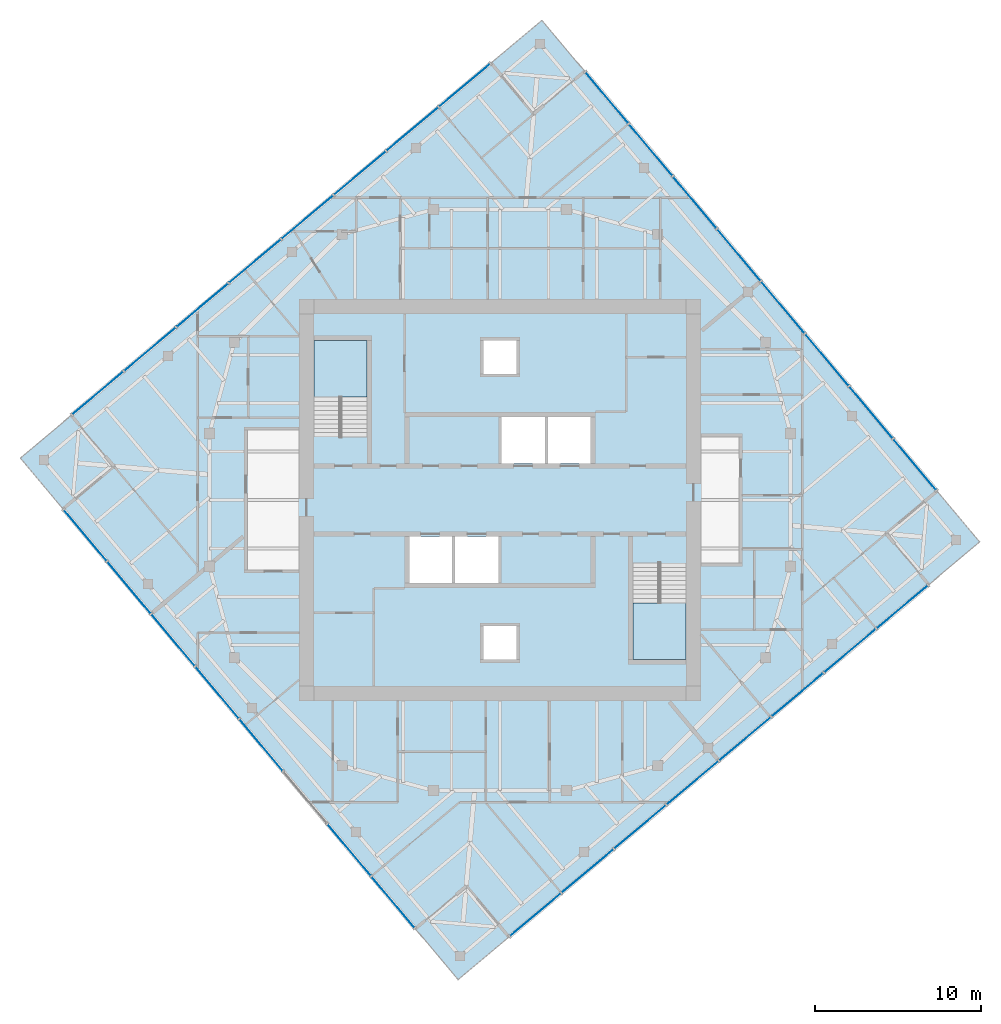
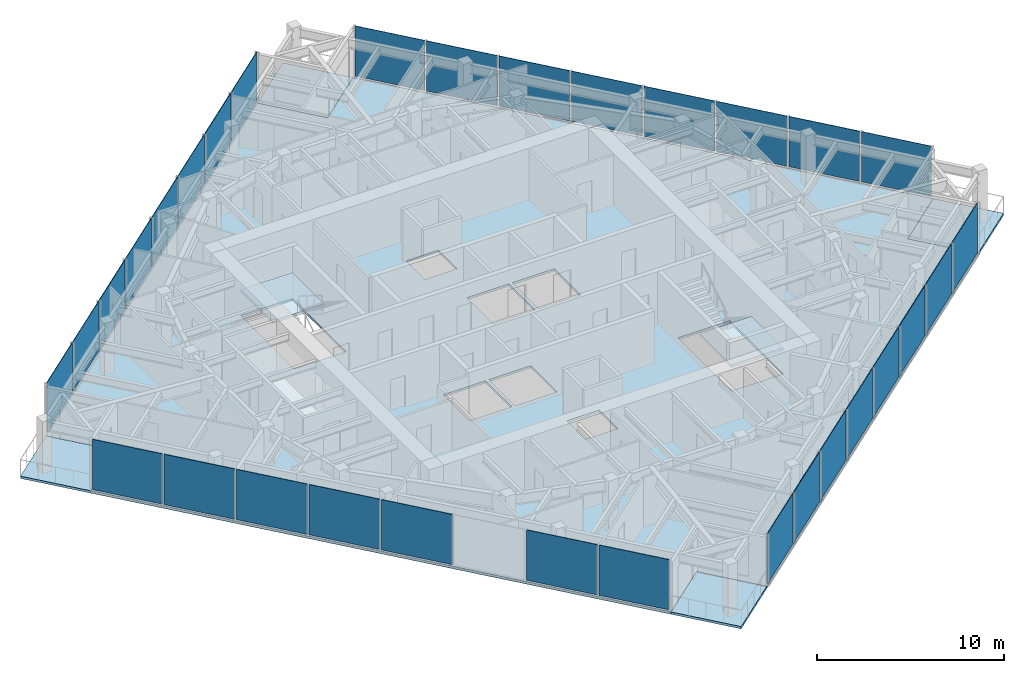
# One storey, part 6 of 12: 31 plates, 7 slabs, 6 elements without a shape of their own.
"""IFC4 building model written with IfcOpenShell, lengths in metres."""

from ifc_helpers import new_model, si_unit, direction, frame, origin, origin_2d, place, context, subcontext, project, spatial, polyline, rectangle, outline, extrude, material, layer, layer_set, type_object, element, aggregate, save


model = new_model("IFC4")

# Units and contexts
model_context = context("Model", 3, precision=1e-05, world=origin(), true_north=direction((0.0, 1.0)))
body_context = subcontext(model_context, "Body", "Model", "MODEL_VIEW")
ifc_project = project(units=[si_unit("LENGTHUNIT", "METRE"), si_unit("AREAUNIT", "SQUARE_METRE"), si_unit("VOLUMEUNIT", "CUBIC_METRE"), si_unit("PLANEANGLEUNIT", "RADIAN"), si_unit("MASSUNIT", "GRAM", prefix="KILO")], contexts=[model_context])

# Site, building, storey
site_placement = place(None, origin())
site = spatial("IfcSite", under=ifc_project, at=site_placement, CompositionType="ELEMENT")
building_placement = place(site_placement, origin())
building = spatial("IfcBuilding", under=site, at=building_placement, Name="Torsade Residences", CompositionType="ELEMENT")
storey_placement = place(building_placement, frame((0.0, 0.0, 293.0)))
storey = spatial("IfcBuildingStorey", under=building, at=storey_placement, Name="L81", CompositionType="ELEMENT", Elevation=293.0)

# Slab
ifc_material_1 = material(Name="Concrete 40 MPa", Category="concrete")
ifc_layer_1 = layer(ifc_material_1, 0.14990234375)
ifc_layer_set_1 = layer_set([ifc_layer_1], Name="Concrete 40 MPa")
slab_type_1 = type_object("IfcSlabType", Name="COMPOSITE FLOOR SLAB 150", PredefinedType="FLOOR", material=ifc_layer_set_1)
slab_1_placement = place(storey_placement, frame((0.0, 0.0, -0.14990234375)))
element("IfcSlab", 1, at=slab_1_placement, inside=storey, type_object=slab_type_1, Name="Floor slab L81", PredefinedType="FLOOR", context=body_context, shape_type="SweptSolid", body=[
    extrude(outline(polyline([(40.537353515625, 3.690185546875), (65.81689453125, 24.902099609375), (63.245849609375, 27.96630859375), (66.309814453125, 30.537353515625), (45.097900390625, 55.81689453125), (42.03369140625, 53.245849609375), (39.462646484375, 56.309814453125), (14.18310546875, 35.097900390625), (16.754150390625, 32.03369140625), (13.690185546875, 29.462646484375), (34.902099609375, 4.18310546875), (37.96630859375, 6.754150390625), (40.537353515625, 3.690185546875)]), holes=[polyline([(51.199951171875, 26.1201171875), (48.0, 26.1201171875), (48.0, 20.39990234375), (51.199951171875, 20.39990234375), (51.199951171875, 26.1201171875)]), polyline([(45.5, 35.0), (42.89990234375, 35.0), (42.89990234375, 32.199951171875), (45.5, 32.199951171875), (45.5, 35.0)]), polyline([(42.699951171875, 35.0), (40.10009765625, 35.0), (40.10009765625, 32.199951171875), (42.699951171875, 32.199951171875), (42.699951171875, 35.0)]), polyline([(41.0, 22.39990234375), (39.0, 22.39990234375), (39.0, 20.39990234375), (41.0, 20.39990234375), (41.0, 22.39990234375)]), polyline([(41.0, 39.60009765625), (39.0, 39.60009765625), (39.0, 37.60009765625), (41.0, 37.60009765625), (41.0, 39.60009765625)]), polyline([(39.89990234375, 27.800048828125), (37.300048828125, 27.800048828125), (37.300048828125, 25.0), (39.89990234375, 25.0), (39.89990234375, 27.800048828125)]), polyline([(37.10009765625, 27.800048828125), (34.5, 27.800048828125), (34.5, 25.0), (37.10009765625, 25.0), (37.10009765625, 27.800048828125)]), polyline([(32.0, 39.60009765625), (28.800048828125, 39.60009765625), (28.800048828125, 33.8798828125), (32.0, 33.8798828125), (32.0, 39.60009765625)])]), origin(), (0.0, 0.0, 1.0), 0.14990234375),
])

# Curtain wall, plates
ifc_material_2 = material(Name="Aluminium and glass", Category="aluminium")
curtain_wall_type = type_object("IfcCurtainWallType", Name="FRITTED GLASS CURTAIN WALL HIGH ZONE", PredefinedType="NOTDEFINED", material=ifc_material_2)
curtain_wall_1_placement = place(storey_placement, origin())
curtain_wall_1 = element("IfcCurtainWall", 2, at=curtain_wall_1_placement, inside=storey, type_object=curtain_wall_type, Name="Curtain wall L81 face 1", PredefinedType="NOTDEFINED")
ifc_material_3 = material(Name="Laminated glass", Category="glass")
ifc_layer_2 = layer(ifc_material_3, 0.031982421875)
ifc_layer_set_2 = layer_set([ifc_layer_2], Name="Laminated glass")
plate_type_1 = type_object("IfcPlateType", Name="FRITTED GLASS PANEL", PredefinedType="CURTAIN_PANEL", material=ifc_layer_set_2)
plate_1_placement = place(storey_placement, frame((42.136474609375, 5.031982421875, 0.1201171875), z_axis=(0.0, 0.0, 1.0), x_axis=(0.766044437106, 0.642787616853, 0.0)))
plate_1 = element("IfcPlate", 3, at=plate_1_placement, type_object=plate_type_1, Name="Panel 1", PredefinedType="CURTAIN_PANEL", context=body_context, shape_type="SweptSolid", body=[
    extrude(rectangle(XDim=3.97509765625, YDim=0.031982421875, at=origin_2d()), origin(), (0.0, 0.0, 1.0), 3.280029296875),
])
plate_2_placement = place(storey_placement, frame((48.437255859375, 10.31884765625, 0.1201171875), z_axis=(0.0, 0.0, 1.0), x_axis=(0.766044437106, 0.642787616853, 0.0)))
plate_2 = element("IfcPlate", 4, at=plate_2_placement, type_object=plate_type_1, Name="Panel 3", PredefinedType="CURTAIN_PANEL", context=body_context, shape_type="SweptSolid", body=[
    extrude(rectangle(XDim=4.02490234375, YDim=0.031982421875, at=origin_2d()), origin(), (0.0, 0.0, 1.0), 3.280029296875),
])
plate_3_placement = place(storey_placement, frame((51.59716796875, 12.970458984375, 0.1201171875), z_axis=(0.0, 0.0, 1.0), x_axis=(0.766044437106, 0.642787616853, 0.0)))
plate_3 = element("IfcPlate", 5, at=plate_3_placement, type_object=plate_type_1, Name="Panel 4", PredefinedType="CURTAIN_PANEL", context=body_context, shape_type="SweptSolid", body=[
    extrude(rectangle(XDim=4.02490234375, YDim=0.031982421875, at=origin_2d()), origin(), (0.0, 0.0, 1.0), 3.280029296875),
])
plate_4_placement = place(storey_placement, frame((54.757080078125, 15.621826171875, 0.1201171875), z_axis=(0.0, 0.0, 1.0), x_axis=(0.766044437106, 0.642787616853, 0.0)))
plate_4 = element("IfcPlate", 6, at=plate_4_placement, type_object=plate_type_1, Name="Panel 5", PredefinedType="CURTAIN_PANEL", context=body_context, shape_type="SweptSolid", body=[
    extrude(rectangle(XDim=4.02490234375, YDim=0.031982421875, at=origin_2d()), origin(), (0.0, 0.0, 1.0), 3.280029296875),
])
plate_5_placement = place(storey_placement, frame((61.076904296875, 20.9248046875, 0.1201171875), z_axis=(0.0, 0.0, 1.0), x_axis=(0.766044437106, 0.642787616853, 0.0)))
plate_5 = element("IfcPlate", 7, at=plate_5_placement, type_object=plate_type_1, Name="Panel 7", PredefinedType="CURTAIN_PANEL", context=body_context, shape_type="SweptSolid", body=[
    extrude(rectangle(XDim=4.02490234375, YDim=0.031982421875, at=origin_2d()), origin(), (0.0, 0.0, 1.0), 3.280029296875),
])
plate_6_placement = place(storey_placement, frame((64.2177734375, 23.560302734375, 0.1201171875), z_axis=(0.0, 0.0, 1.0), x_axis=(0.766044437106, 0.642787616853, 0.0)))
plate_6 = element("IfcPlate", 8, at=plate_6_placement, type_object=plate_type_1, Name="Panel 8", PredefinedType="CURTAIN_PANEL", context=body_context, shape_type="SweptSolid", body=[
    extrude(rectangle(XDim=3.97509765625, YDim=0.031982421875, at=origin_2d()), origin(), (0.0, 0.0, 1.0), 3.280029296875),
])

curtain_wall_2_placement = place(storey_placement, origin())
curtain_wall_2 = element("IfcCurtainWall", 9, at=curtain_wall_2_placement, inside=storey, type_object=curtain_wall_type, Name="Curtain wall L81 face 4", PredefinedType="NOTDEFINED")
plate_7_placement = place(storey_placement, frame((64.968017578125, 32.136474609375, 0.1201171875), z_axis=(0.0, 0.0, 1.0), x_axis=(-0.642787616853, 0.766044437106, 0.0)))
plate_7 = element("IfcPlate", 10, at=plate_7_placement, type_object=plate_type_1, Name="Panel 1", PredefinedType="CURTAIN_PANEL", context=body_context, shape_type="SweptSolid", body=[
    extrude(rectangle(XDim=3.97509765625, YDim=0.031982421875, at=origin_2d()), origin(), (0.0, 0.0, 1.0), 3.280029296875),
])
plate_8_placement = place(storey_placement, frame((59.68115234375, 38.437255859375, 0.1201171875), z_axis=(0.0, 0.0, 1.0), x_axis=(-0.642787616853, 0.766044437106, 0.0)))
plate_8 = element("IfcPlate", 11, at=plate_8_placement, type_object=plate_type_1, Name="Panel 3", PredefinedType="CURTAIN_PANEL", context=body_context, shape_type="SweptSolid", body=[
    extrude(rectangle(XDim=4.02490234375, YDim=0.031982421875, at=origin_2d()), origin(), (0.0, 0.0, 1.0), 3.280029296875),
])
plate_9_placement = place(storey_placement, frame((57.029541015625, 41.59716796875, 0.1201171875), z_axis=(0.0, 0.0, 1.0), x_axis=(-0.642787616853, 0.766044437106, 0.0)))
plate_9 = element("IfcPlate", 12, at=plate_9_placement, type_object=plate_type_1, Name="Panel 4", PredefinedType="CURTAIN_PANEL", context=body_context, shape_type="SweptSolid", body=[
    extrude(rectangle(XDim=4.02490234375, YDim=0.031982421875, at=origin_2d()), origin(), (0.0, 0.0, 1.0), 3.280029296875),
])
plate_10_placement = place(storey_placement, frame((54.378173828125, 44.757080078125, 0.1201171875), z_axis=(0.0, 0.0, 1.0), x_axis=(-0.642787616853, 0.766044437106, 0.0)))
plate_10 = element("IfcPlate", 13, at=plate_10_placement, type_object=plate_type_1, Name="Panel 5", PredefinedType="CURTAIN_PANEL", context=body_context, shape_type="SweptSolid", body=[
    extrude(rectangle(XDim=4.02490234375, YDim=0.031982421875, at=origin_2d()), origin(), (0.0, 0.0, 1.0), 3.280029296875),
])
plate_11_placement = place(storey_placement, frame((49.0751953125, 51.076904296875, 0.1201171875), z_axis=(0.0, 0.0, 1.0), x_axis=(-0.642787616853, 0.766044437106, 0.0)))
plate_11 = element("IfcPlate", 14, at=plate_11_placement, type_object=plate_type_1, Name="Panel 7", PredefinedType="CURTAIN_PANEL", context=body_context, shape_type="SweptSolid", body=[
    extrude(rectangle(XDim=4.02490234375, YDim=0.031982421875, at=origin_2d()), origin(), (0.0, 0.0, 1.0), 3.280029296875),
])
plate_12_placement = place(storey_placement, frame((46.439697265625, 54.2177734375, 0.1201171875), z_axis=(0.0, 0.0, 1.0), x_axis=(-0.642787616853, 0.766044437106, 0.0)))
plate_12 = element("IfcPlate", 15, at=plate_12_placement, type_object=plate_type_1, Name="Panel 8", PredefinedType="CURTAIN_PANEL", context=body_context, shape_type="SweptSolid", body=[
    extrude(rectangle(XDim=3.97509765625, YDim=0.031982421875, at=origin_2d()), origin(), (0.0, 0.0, 1.0), 3.280029296875),
])

curtain_wall_3_placement = place(storey_placement, origin())
curtain_wall_3 = element("IfcCurtainWall", 16, at=curtain_wall_3_placement, inside=storey, type_object=curtain_wall_type, Name="Curtain wall L81 face 7", PredefinedType="NOTDEFINED")
plate_13_placement = place(storey_placement, frame((37.863525390625, 54.968017578125, 0.1201171875), z_axis=(0.0, 0.0, 1.0), x_axis=(-0.766044437106, -0.642787616853, 0.0)))
plate_13 = element("IfcPlate", 17, at=plate_13_placement, type_object=plate_type_1, Name="Panel 1", PredefinedType="CURTAIN_PANEL", context=body_context, shape_type="SweptSolid", body=[
    extrude(rectangle(XDim=3.97509765625, YDim=0.031982421875, at=origin_2d()), origin(), (0.0, 0.0, 1.0), 3.280029296875),
])
plate_14_placement = place(storey_placement, frame((31.562744140625, 49.68115234375, 0.1201171875), z_axis=(0.0, 0.0, 1.0), x_axis=(-0.766044437106, -0.642787616853, 0.0)))
plate_14 = element("IfcPlate", 18, at=plate_14_placement, type_object=plate_type_1, Name="Panel 3", PredefinedType="CURTAIN_PANEL", context=body_context, shape_type="SweptSolid", body=[
    extrude(rectangle(XDim=4.02490234375, YDim=0.031982421875, at=origin_2d()), origin(), (0.0, 0.0, 1.0), 3.280029296875),
])
plate_15_placement = place(storey_placement, frame((28.40283203125, 47.029541015625, 0.1201171875), z_axis=(0.0, 0.0, 1.0), x_axis=(-0.766044437106, -0.642787616853, 0.0)))
plate_15 = element("IfcPlate", 19, at=plate_15_placement, type_object=plate_type_1, Name="Panel 4", PredefinedType="CURTAIN_PANEL", context=body_context, shape_type="SweptSolid", body=[
    extrude(rectangle(XDim=4.02490234375, YDim=0.031982421875, at=origin_2d()), origin(), (0.0, 0.0, 1.0), 3.280029296875),
])
plate_16_placement = place(storey_placement, frame((25.242919921875, 44.378173828125, 0.1201171875), z_axis=(0.0, 0.0, 1.0), x_axis=(-0.766044437106, -0.642787616853, 0.0)))
plate_16 = element("IfcPlate", 20, at=plate_16_placement, type_object=plate_type_1, Name="Panel 5", PredefinedType="CURTAIN_PANEL", context=body_context, shape_type="SweptSolid", body=[
    extrude(rectangle(XDim=4.02490234375, YDim=0.031982421875, at=origin_2d()), origin(), (0.0, 0.0, 1.0), 3.280029296875),
])
plate_17_placement = place(storey_placement, frame((18.923095703125, 39.0751953125, 0.1201171875), z_axis=(0.0, 0.0, 1.0), x_axis=(-0.766044437106, -0.642787616853, 0.0)))
plate_17 = element("IfcPlate", 21, at=plate_17_placement, type_object=plate_type_1, Name="Panel 7", PredefinedType="CURTAIN_PANEL", context=body_context, shape_type="SweptSolid", body=[
    extrude(rectangle(XDim=4.02490234375, YDim=0.031982421875, at=origin_2d()), origin(), (0.0, 0.0, 1.0), 3.280029296875),
])
plate_18_placement = place(storey_placement, frame((15.7822265625, 36.439697265625, 0.1201171875), z_axis=(0.0, 0.0, 1.0), x_axis=(-0.766044437106, -0.642787616853, 0.0)))
plate_18 = element("IfcPlate", 22, at=plate_18_placement, type_object=plate_type_1, Name="Panel 8", PredefinedType="CURTAIN_PANEL", context=body_context, shape_type="SweptSolid", body=[
    extrude(rectangle(XDim=3.97509765625, YDim=0.031982421875, at=origin_2d()), origin(), (0.0, 0.0, 1.0), 3.280029296875),
])

curtain_wall_4_placement = place(storey_placement, origin())
curtain_wall_4 = element("IfcCurtainWall", 23, at=curtain_wall_4_placement, inside=storey, type_object=curtain_wall_type, Name="Curtain wall L81 face 10", PredefinedType="NOTDEFINED")
plate_19_placement = place(storey_placement, frame((15.031982421875, 27.863525390625, 0.1201171875), z_axis=(0.0, 0.0, 1.0), x_axis=(0.642787616853, -0.766044437106, 0.0)))
plate_19 = element("IfcPlate", 24, at=plate_19_placement, type_object=plate_type_1, Name="Panel 1", PredefinedType="CURTAIN_PANEL", context=body_context, shape_type="SweptSolid", body=[
    extrude(rectangle(XDim=3.97509765625, YDim=0.031982421875, at=origin_2d()), origin(), (0.0, 0.0, 1.0), 3.280029296875),
])
plate_20_placement = place(storey_placement, frame((20.31884765625, 21.562744140625, 0.1201171875), z_axis=(0.0, 0.0, 1.0), x_axis=(0.642787616853, -0.766044437106, 0.0)))
plate_20 = element("IfcPlate", 25, at=plate_20_placement, type_object=plate_type_1, Name="Panel 3", PredefinedType="CURTAIN_PANEL", context=body_context, shape_type="SweptSolid", body=[
    extrude(rectangle(XDim=4.02490234375, YDim=0.031982421875, at=origin_2d()), origin(), (0.0, 0.0, 1.0), 3.280029296875),
])
plate_21_placement = place(storey_placement, frame((22.970458984375, 18.40283203125, 0.1201171875), z_axis=(0.0, 0.0, 1.0), x_axis=(0.642787616853, -0.766044437106, 0.0)))
plate_21 = element("IfcPlate", 26, at=plate_21_placement, type_object=plate_type_1, Name="Panel 4", PredefinedType="CURTAIN_PANEL", context=body_context, shape_type="SweptSolid", body=[
    extrude(rectangle(XDim=4.02490234375, YDim=0.031982421875, at=origin_2d()), origin(), (0.0, 0.0, 1.0), 3.280029296875),
])
plate_22_placement = place(storey_placement, frame((25.621826171875, 15.242919921875, 0.1201171875), z_axis=(0.0, 0.0, 1.0), x_axis=(0.642787616853, -0.766044437106, 0.0)))
plate_22 = element("IfcPlate", 27, at=plate_22_placement, type_object=plate_type_1, Name="Panel 5", PredefinedType="CURTAIN_PANEL", context=body_context, shape_type="SweptSolid", body=[
    extrude(rectangle(XDim=4.02490234375, YDim=0.031982421875, at=origin_2d()), origin(), (0.0, 0.0, 1.0), 3.280029296875),
])
plate_23_placement = place(storey_placement, frame((30.9248046875, 8.923095703125, 0.1201171875), z_axis=(0.0, 0.0, 1.0), x_axis=(0.642787616853, -0.766044437106, 0.0)))
plate_23 = element("IfcPlate", 28, at=plate_23_placement, type_object=plate_type_1, Name="Panel 7", PredefinedType="CURTAIN_PANEL", context=body_context, shape_type="SweptSolid", body=[
    extrude(rectangle(XDim=4.02490234375, YDim=0.031982421875, at=origin_2d()), origin(), (0.0, 0.0, 1.0), 3.280029296875),
])
plate_24_placement = place(storey_placement, frame((33.560302734375, 5.7822265625, 0.1201171875), z_axis=(0.0, 0.0, 1.0), x_axis=(0.642787616853, -0.766044437106, 0.0)))
plate_24 = element("IfcPlate", 29, at=plate_24_placement, type_object=plate_type_1, Name="Panel 8", PredefinedType="CURTAIN_PANEL", context=body_context, shape_type="SweptSolid", body=[
    extrude(rectangle(XDim=3.97509765625, YDim=0.031982421875, at=origin_2d()), origin(), (0.0, 0.0, 1.0), 3.280029296875),
])

# Plate
ifc_material_4 = material(Name="Laminated glass", Category="glass")
ifc_layer_3 = layer(ifc_material_4, 0.0400390625)
ifc_layer_set_3 = layer_set([ifc_layer_3], Name="Laminated glass")
plate_type_2 = type_object("IfcPlateType", Name="OPERABLE VENT PANEL", PredefinedType="CURTAIN_PANEL", material=ifc_layer_set_3)
plate_25_placement = place(storey_placement, frame((45.27734375, 7.667236328125, 0.1201171875), z_axis=(0.0, 0.0, 1.0), x_axis=(0.766044437106, 0.642787616853, 0.0)))
plate_25 = element("IfcPlate", 30, at=plate_25_placement, type_object=plate_type_2, Name="Panel 2", PredefinedType="CURTAIN_PANEL", context=body_context, shape_type="SweptSolid", body=[
    extrude(rectangle(XDim=4.02490234375, YDim=0.0400390625, at=origin_2d()), origin(), (0.0, 0.0, 1.0), 3.280029296875),
])

plate_26_placement = place(storey_placement, frame((57.9169921875, 18.2734375, 0.1201171875), z_axis=(0.0, 0.0, 1.0), x_axis=(0.766044437106, 0.642787616853, 0.0)))
plate_26 = element("IfcPlate", 31, at=plate_26_placement, type_object=plate_type_2, Name="Panel 6", PredefinedType="CURTAIN_PANEL", context=body_context, shape_type="SweptSolid", body=[
    extrude(rectangle(XDim=4.02490234375, YDim=0.0400390625, at=origin_2d()), origin(), (0.0, 0.0, 1.0), 3.280029296875),
])

aggregate(curtain_wall_1, [plate_1, plate_25, plate_2, plate_3, plate_4, plate_26, plate_5, plate_6])

plate_27_placement = place(storey_placement, frame((62.332763671875, 35.27734375, 0.1201171875), z_axis=(0.0, 0.0, 1.0), x_axis=(-0.642787616853, 0.766044437106, 0.0)))
plate_27 = element("IfcPlate", 32, at=plate_27_placement, type_object=plate_type_2, Name="Panel 2", PredefinedType="CURTAIN_PANEL", context=body_context, shape_type="SweptSolid", body=[
    extrude(rectangle(XDim=4.02490234375, YDim=0.0400390625, at=origin_2d()), origin(), (0.0, 0.0, 1.0), 3.280029296875),
])

plate_28_placement = place(storey_placement, frame((51.7265625, 47.9169921875, 0.1201171875), z_axis=(0.0, 0.0, 1.0), x_axis=(-0.642787616853, 0.766044437106, 0.0)))
plate_28 = element("IfcPlate", 33, at=plate_28_placement, type_object=plate_type_2, Name="Panel 6", PredefinedType="CURTAIN_PANEL", context=body_context, shape_type="SweptSolid", body=[
    extrude(rectangle(XDim=4.02490234375, YDim=0.0400390625, at=origin_2d()), origin(), (0.0, 0.0, 1.0), 3.280029296875),
])

aggregate(curtain_wall_2, [plate_7, plate_27, plate_8, plate_9, plate_10, plate_28, plate_11, plate_12])

plate_29_placement = place(storey_placement, frame((34.72265625, 52.332763671875, 0.1201171875), z_axis=(0.0, 0.0, 1.0), x_axis=(-0.766044437106, -0.642787616853, 0.0)))
plate_29 = element("IfcPlate", 34, at=plate_29_placement, type_object=plate_type_2, Name="Panel 2", PredefinedType="CURTAIN_PANEL", context=body_context, shape_type="SweptSolid", body=[
    extrude(rectangle(XDim=4.02490234375, YDim=0.0400390625, at=origin_2d()), origin(), (0.0, 0.0, 1.0), 3.280029296875),
])

plate_30_placement = place(storey_placement, frame((22.0830078125, 41.7265625, 0.1201171875), z_axis=(0.0, 0.0, 1.0), x_axis=(-0.766044437106, -0.642787616853, 0.0)))
plate_30 = element("IfcPlate", 35, at=plate_30_placement, type_object=plate_type_2, Name="Panel 6", PredefinedType="CURTAIN_PANEL", context=body_context, shape_type="SweptSolid", body=[
    extrude(rectangle(XDim=4.02490234375, YDim=0.0400390625, at=origin_2d()), origin(), (0.0, 0.0, 1.0), 3.280029296875),
])

aggregate(curtain_wall_3, [plate_13, plate_29, plate_14, plate_15, plate_16, plate_30, plate_17, plate_18])

plate_31_placement = place(storey_placement, frame((17.667236328125, 24.72265625, 0.1201171875), z_axis=(0.0, 0.0, 1.0), x_axis=(0.642787616853, -0.766044437106, 0.0)))
plate_31 = element("IfcPlate", 36, at=plate_31_placement, type_object=plate_type_2, Name="Panel 2", PredefinedType="CURTAIN_PANEL", context=body_context, shape_type="SweptSolid", body=[
    extrude(rectangle(XDim=4.02490234375, YDim=0.0400390625, at=origin_2d()), origin(), (0.0, 0.0, 1.0), 3.280029296875),
])

aggregate(curtain_wall_4, [plate_19, plate_31, plate_20, plate_21, plate_22, plate_23, plate_24])

# Stair, slab
ifc_material_5 = material(Name="Precast concrete 40 MPa", Category="concrete")
stair_type = type_object("IfcStairType", Name="HALF-TURN FIRE STAIR 1500x3400", PredefinedType="HALF_TURN_STAIR", material=ifc_material_5)
stair_1_placement = place(storey_placement, origin())
stair_1 = element("IfcStair", 37, at=stair_1_placement, inside=storey, type_object=stair_type, Name="Stair ST1 L81", PredefinedType="HALF_TURN_STAIR")
ifc_material_6 = material(Name="Precast concrete 40 MPa", Category="concrete")
ifc_layer_4 = layer(ifc_material_6, 0.179931640625)
ifc_layer_set_4 = layer_set([ifc_layer_4], Name="Precast concrete 40 MPa")
slab_type_2 = type_object("IfcSlabType", Name="PRECAST STAIR LANDING 180", PredefinedType="LANDING", material=ifc_layer_set_4)
slab_2_placement = place(storey_placement, frame((0.0, 0.0, 1.52001953125)))
slab_2 = element("IfcSlab", 38, at=slab_2_placement, type_object=slab_type_2, Name="ST1 landing 1", PredefinedType="LANDING", context=body_context, shape_type="SweptSolid", body=[
    extrude(outline(polyline([(28.800048828125, 36.2099609375), (32.0, 36.2099609375), (32.0, 39.60009765625), (28.800048828125, 39.60009765625), (28.800048828125, 36.2099609375)])), origin(), (0.0, 0.0, 1.0), 0.179931640625),
])
aggregate(stair_1, [slab_2])

stair_2_placement = place(storey_placement, origin())
stair_2 = element("IfcStair", 39, at=stair_2_placement, inside=storey, type_object=stair_type, Name="Stair ST2 L81", PredefinedType="HALF_TURN_STAIR")
slab_3_placement = place(storey_placement, frame((0.0, 0.0, 1.52001953125)))
slab_3 = element("IfcSlab", 40, at=slab_3_placement, type_object=slab_type_2, Name="ST2 landing 1", PredefinedType="LANDING", context=body_context, shape_type="SweptSolid", body=[
    extrude(outline(polyline([(48.0, 20.39990234375), (51.199951171875, 20.39990234375), (51.199951171875, 23.7900390625), (48.0, 23.7900390625), (48.0, 20.39990234375)])), origin(), (0.0, 0.0, 1.0), 0.179931640625),
])
aggregate(stair_2, [slab_3])

# Slabs
ifc_material_7 = material(Name="Concrete 40 MPa", Category="concrete")
ifc_layer_5 = layer(ifc_material_7, 0.14990234375)
ifc_layer_set_5 = layer_set([ifc_layer_5], Name="Concrete 40 MPa")
slab_type_3 = type_object("IfcSlabType", Name="TERRACE SLAB 150", PredefinedType="FLOOR", material=ifc_layer_set_5)
slab_4_placement = place(storey_placement, frame((0.0, 0.0, -0.14990234375)))
element("IfcSlab", 41, at=slab_4_placement, inside=storey, type_object=slab_type_3, Name="Corner terrace slab SE L81", PredefinedType="FLOOR", context=body_context, shape_type="SweptSolid", body=[
    extrude(outline(polyline([(65.81689453125, 24.902099609375), (68.881103515625, 27.47314453125), (66.309814453125, 30.537353515625), (63.245849609375, 27.96630859375), (65.81689453125, 24.902099609375)])), origin(), (0.0, 0.0, 1.0), 0.14990234375),
])
slab_5_placement = place(storey_placement, frame((0.0, 0.0, -0.14990234375)))
element("IfcSlab", 42, at=slab_5_placement, inside=storey, type_object=slab_type_3, Name="Corner terrace slab NE L81", PredefinedType="FLOOR", context=body_context, shape_type="SweptSolid", body=[
    extrude(outline(polyline([(42.03369140625, 53.245849609375), (45.097900390625, 55.81689453125), (42.52685546875, 58.881103515625), (39.462646484375, 56.309814453125), (42.03369140625, 53.245849609375)])), origin(), (0.0, 0.0, 1.0), 0.14990234375),
])
slab_6_placement = place(storey_placement, frame((0.0, 0.0, -0.14990234375)))
element("IfcSlab", 43, at=slab_6_placement, inside=storey, type_object=slab_type_3, Name="Corner terrace slab NW L81", PredefinedType="FLOOR", context=body_context, shape_type="SweptSolid", body=[
    extrude(outline(polyline([(13.690185546875, 29.462646484375), (16.754150390625, 32.03369140625), (14.18310546875, 35.097900390625), (11.118896484375, 32.52685546875), (13.690185546875, 29.462646484375)])), origin(), (0.0, 0.0, 1.0), 0.14990234375),
])
slab_7_placement = place(storey_placement, frame((0.0, 0.0, -0.14990234375)))
element("IfcSlab", 44, at=slab_7_placement, inside=storey, type_object=slab_type_3, Name="Corner terrace slab SW L81", PredefinedType="FLOOR", context=body_context, shape_type="SweptSolid", body=[
    extrude(outline(polyline([(37.47314453125, 1.118896484375), (40.537353515625, 3.690185546875), (37.96630859375, 6.754150390625), (34.902099609375, 4.18310546875), (37.47314453125, 1.118896484375)])), origin(), (0.0, 0.0, 1.0), 0.14990234375),
])

save(model, "model.ifc")
